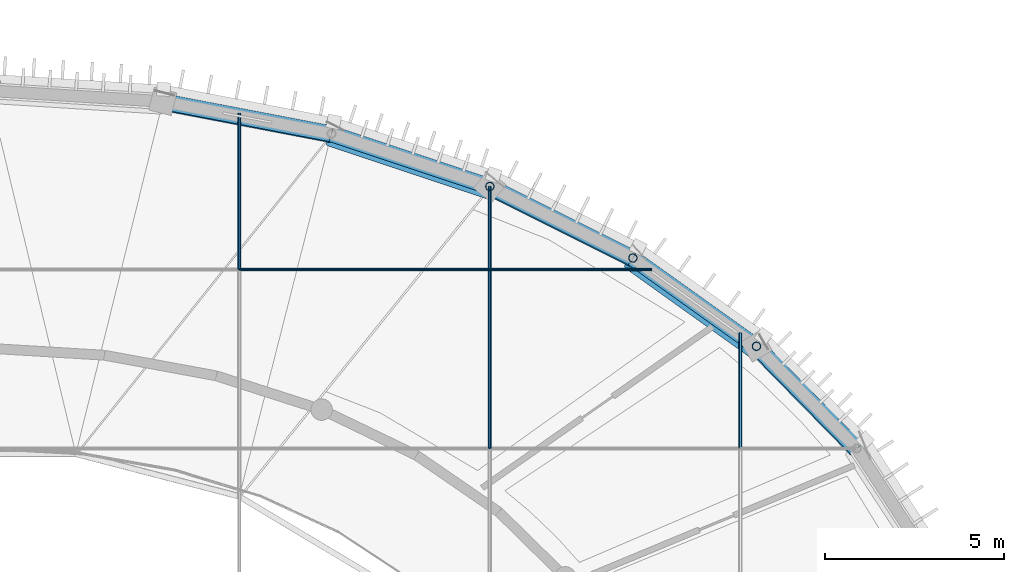
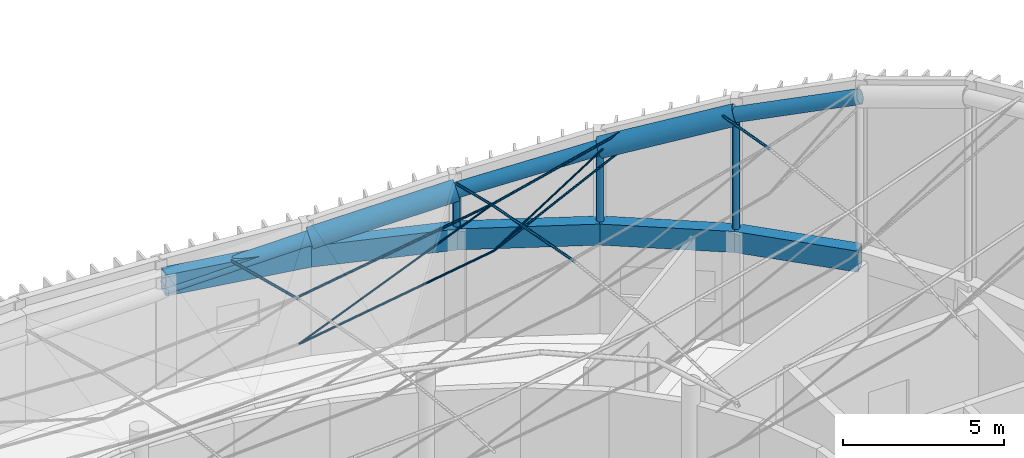
# One storey, part 10 of 36: 18 members, 5 beams.
"""IFC4 building model written with IfcOpenShell, lengths in metres."""

from ifc_helpers import new_model, si_unit, direction, frame, origin, origin_2d, place, context, subcontext, project, spatial, hollow_rectangle, circle, hollow_circle, extrude, material, material_profile, profile_set, type_object, element, save


model = new_model("IFC4")

# Units and contexts
model_context = context("Model", 3, precision=1e-05, world=origin(), true_north=direction((0.0, 1.0)))
body_context = subcontext(model_context, "Body", "Model", "MODEL_VIEW")
ifc_project = project(units=[si_unit("LENGTHUNIT", "METRE"), si_unit("AREAUNIT", "SQUARE_METRE"), si_unit("VOLUMEUNIT", "CUBIC_METRE"), si_unit("PLANEANGLEUNIT", "RADIAN"), si_unit("MASSUNIT", "GRAM", prefix="KILO")], contexts=[model_context])

# Site, building, storey
site_placement = place(None, origin())
site = spatial("IfcSite", under=ifc_project, at=site_placement, CompositionType="ELEMENT")
building_placement = place(site_placement, origin())
building = spatial("IfcBuilding", under=site, at=building_placement, Name="Tarnveldt Headland Concert Hall", CompositionType="ELEMENT")
storey_placement = place(building_placement, frame((0.0, 0.0, 22.800048828125)))
storey = spatial("IfcBuildingStorey", under=building, at=storey_placement, Name="L05", CompositionType="ELEMENT", Elevation=22.800048828125)

# Members
ifc_material = material(Name="Steel S355", Category="steel")
ifc_material_profile_1 = material_profile(ifc_material, circle(Radius=0.0458984375, at=origin_2d()), Name="LC D92", Category="steel")
ifc_profile_set_1 = profile_set([ifc_material_profile_1], Name="Steel S355")
member_type_1 = type_object("IfcMemberType", Name="CB-HOG92", PredefinedType="USERDEFINED", material=ifc_profile_set_1)
member_1_placement = place(storey_placement, frame((90.5, 69.5, 5.23486328125), z_axis=(0.0, 0.968355058126, -0.249576604276), x_axis=(-1.0, 0.0, 0.0)))
element("IfcMember", 1, at=member_1_placement, inside=storey, type_object=member_type_1, Name="ROOF TRUSS CABLE prestress chord 90", ObjectType="CABLE", PredefinedType="USERDEFINED", context=body_context, shape_type="SweptSolid", body=[
    extrude(circle(Radius=0.0458984375, at=origin_2d()), origin(), (0.0, 0.0, 1.0), 4.507568359375),
])
member_2_placement = place(storey_placement, frame((97.5, 64.5, 7.260009765625), z_axis=(0.0, 0.982872186934, -0.18428853505), x_axis=(-1.0, 0.0, 0.0)))
element("IfcMember", 2, at=member_2_placement, inside=storey, type_object=member_type_1, Name="ROOF TRUSS CABLE prestress chord 97", ObjectType="CABLE", PredefinedType="USERDEFINED", context=body_context, shape_type="SweptSolid", body=[
    extrude(circle(Radius=0.0458984375, at=origin_2d()), origin(), (0.0, 0.0, 1.0), 5.087158203125),
])
member_3_placement = place(storey_placement, frame((97.5, 69.5, 6.322509765625), z_axis=(0.0, 0.971855780858, -0.235576614318), x_axis=(-1.0, 0.0, 0.0)))
element("IfcMember", 3, at=member_3_placement, inside=storey, type_object=member_type_1, Name="ROOF TRUSS CABLE prestress chord 98", ObjectType="CABLE", PredefinedType="USERDEFINED", context=body_context, shape_type="SweptSolid", body=[
    extrude(circle(Radius=0.0458984375, at=origin_2d()), origin(), (0.0, 0.0, 1.0), 2.3876953125),
])
member_4_placement = place(storey_placement, frame((104.5, 64.5, 9.072509765625), z_axis=(0.0, 0.985161412941, -0.171630389067), x_axis=(-1.0, 0.0, 0.0)))
element("IfcMember", 4, at=member_4_placement, inside=storey, type_object=member_type_1, Name="ROOF TRUSS CABLE prestress chord 104", ObjectType="CABLE", PredefinedType="USERDEFINED", context=body_context, shape_type="SweptSolid", body=[
    extrude(circle(Radius=0.0458984375, at=origin_2d()), origin(), (0.0, 0.0, 1.0), 3.27734375),
])
ifc_material_profile_2 = material_profile(ifc_material, circle(Radius=0.031982421875, at=origin_2d()), Name="LC D64", Category="steel")
ifc_profile_set_2 = profile_set([ifc_material_profile_2], Name="Steel S355")
member_type_2 = type_object("IfcMemberType", Name="CB-STAY64", PredefinedType="USERDEFINED", material=ifc_profile_set_2)
member_5_placement = place(storey_placement, frame((90.5, 69.5, 3.534912109375), z_axis=(0.924440874248, 0.0, 0.381325412239), x_axis=(0.0, 1.0, 0.0)))
element("IfcMember", 5, at=member_5_placement, inside=storey, type_object=member_type_2, Name="ROOF TRUSS CABLE diagonal 51", ObjectType="CABLE", PredefinedType="USERDEFINED", context=body_context, shape_type="SweptSolid", body=[
    extrude(circle(Radius=0.031982421875, at=origin_2d()), origin(), (0.0, 0.0, 1.0), 7.572265625),
])
member_6_placement = place(storey_placement, frame((97.5, 69.5, 4.62255859375), z_axis=(0.84273813245, 0.0, 0.538323731703), x_axis=(0.0, 1.0, 0.0)))
element("IfcMember", 6, at=member_6_placement, inside=storey, type_object=member_type_2, Name="ROOF TRUSS CABLE diagonal 52", ObjectType="CABLE", PredefinedType="USERDEFINED", context=body_context, shape_type="SweptSolid", body=[
    extrude(circle(Radius=0.031982421875, at=origin_2d()), origin(), (0.0, 0.0, 1.0), 5.36376953125),
])
ifc_material_profile_3 = material_profile(ifc_material, circle(Radius=0.0419921875, at=origin_2d()), Name="LC D84", Category="steel")
ifc_profile_set_3 = profile_set([ifc_material_profile_3], Name="Steel S355")
member_type_3 = type_object("IfcMemberType", Name="CB-STAY84", PredefinedType="USERDEFINED", material=ifc_profile_set_3)
member_7_placement = place(storey_placement, frame((90.5, 69.5, 5.3349609375), z_axis=(0.988148319322, 0.0, 0.153502114058), x_axis=(0.0, 1.0, 0.0)))
element("IfcMember", 7, at=member_7_placement, inside=storey, type_object=member_type_3, Name="ROOF TRUSS CABLE sag chord 51", ObjectType="CABLE", PredefinedType="USERDEFINED", context=body_context, shape_type="SweptSolid", body=[
    extrude(circle(Radius=0.0419921875, at=origin_2d()), origin(), (0.0, 0.0, 1.0), 7.083984375),
])
member_8_placement = place(storey_placement, frame((97.5, 69.5, 6.42236328125), z_axis=(0.972251290422, 0.0, 0.233938941336), x_axis=(0.0, 1.0, 0.0)))
element("IfcMember", 8, at=member_8_placement, inside=storey, type_object=member_type_3, Name="ROOF TRUSS CABLE sag chord 52", ObjectType="CABLE", PredefinedType="USERDEFINED", context=body_context, shape_type="SweptSolid", body=[
    extrude(circle(Radius=0.0419921875, at=origin_2d()), origin(), (0.0, 0.0, 1.0), 4.649169921875),
])
ifc_material_profile_4 = material_profile(ifc_material, circle(Radius=0.0380859375, at=origin_2d()), Name="LC D76", Category="steel")
ifc_profile_set_4 = profile_set([ifc_material_profile_4], Name="Steel S355")
member_type_4 = type_object("IfcMemberType", Name="CB-TIE76", PredefinedType="USERDEFINED", material=ifc_profile_set_4)
member_9_placement = place(storey_placement, frame((90.5, 69.5, 3.534912109375), z_axis=(0.988143091198, 0.0, 0.1535357656), x_axis=(0.0, 1.0, 0.0)))
element("IfcMember", 9, at=member_9_placement, inside=storey, type_object=member_type_4, Name="ROOF TRUSS CABLE lower chord 51", ObjectType="CABLE", PredefinedType="USERDEFINED", context=body_context, shape_type="SweptSolid", body=[
    extrude(circle(Radius=0.0380859375, at=origin_2d()), origin(), (0.0, 0.0, 1.0), 7.083984375),
])
member_10_placement = place(storey_placement, frame((97.5, 69.5, 4.62255859375), z_axis=(0.900137729445, 0.0, 0.435605404041), x_axis=(0.0, 1.0, 0.0)))
element("IfcMember", 10, at=member_10_placement, inside=storey, type_object=member_type_4, Name="ROOF TRUSS CABLE lower chord 52", ObjectType="CABLE", PredefinedType="USERDEFINED", context=body_context, shape_type="SweptSolid", body=[
    extrude(circle(Radius=0.0380859375, at=origin_2d()), origin(), (0.0, 0.0, 1.0), 5.021728515625),
])

# Beams
ifc_material_profile_5 = material_profile(ifc_material, hollow_rectangle(XDim=0.449951171875, YDim=0.800048828125, WallThickness=0.028076171875, at=origin_2d()), Name="RHS 800x450x28", Category="steel")
ifc_profile_set_5 = profile_set([ifc_material_profile_5], Name="Steel S355")
beam_type = type_object("IfcBeamType", Name="RB-01", PredefinedType="BEAM", material=ifc_profile_set_5)
beam_1_placement = place(storey_placement, frame((107.748779296875, 64.5, 3.800048828125), z_axis=(-0.700051268358, 0.714092586203, 0.0), x_axis=(-0.714092586203, -0.700051268358, 0.0)))
element("IfcBeam", 11, at=beam_1_placement, inside=storey, type_object=beam_type, Name="Compression RING BEAM chord 4", PredefinedType="BEAM", context=body_context, shape_type="SweptSolid", body=[
    extrude(hollow_rectangle(XDim=0.449951171875, YDim=0.800048828125, WallThickness=0.028076171875, at=origin_2d()), origin(), (0.0, 0.0, 1.0), 3.9990234375),
])
beam_2_placement = place(storey_placement, frame((104.94921875, 67.355712890625, 3.800048828125), z_axis=(-0.813737360708, 0.581232748378, 0.0), x_axis=(-0.581232748378, -0.813737360708, 0.0)))
element("IfcBeam", 12, at=beam_2_placement, inside=storey, type_object=beam_type, Name="Compression RING BEAM chord 5", PredefinedType="BEAM", context=body_context, shape_type="SweptSolid", body=[
    extrude(hollow_rectangle(XDim=0.449951171875, YDim=0.800048828125, WallThickness=0.028076171875, at=origin_2d()), origin(), (0.0, 0.0, 1.0), 4.2412109375),
])
beam_3_placement = place(storey_placement, frame((101.498046875, 69.82080078125, 3.800048828125), z_axis=(-0.894361644392, 0.447344664705, 0.0), x_axis=(-0.447344664705, -0.894361644392, 0.0)))
element("IfcBeam", 13, at=beam_3_placement, inside=storey, type_object=beam_type, Name="Compression RING BEAM chord 6", PredefinedType="BEAM", context=body_context, shape_type="SweptSolid", body=[
    extrude(hollow_rectangle(XDim=0.449951171875, YDim=0.800048828125, WallThickness=0.028076171875, at=origin_2d()), origin(), (0.0, 0.0, 1.0), 4.47021484375),
])
beam_4_placement = place(storey_placement, frame((97.5, 71.820556640625, 3.800048828125), z_axis=(-0.948751350732, 0.316023534699, 0.0), x_axis=(-0.316023534699, -0.948751350732, 0.0)))
element("IfcBeam", 14, at=beam_4_placement, inside=storey, type_object=beam_type, Name="Compression RING BEAM chord 7", PredefinedType="BEAM", context=body_context, shape_type="SweptSolid", body=[
    extrude(hollow_rectangle(XDim=0.449951171875, YDim=0.800048828125, WallThickness=0.028076171875, at=origin_2d()), origin(), (0.0, 0.0, 1.0), 4.662353515625),
])
beam_5_placement = place(storey_placement, frame((93.07666015625, 73.2939453125, 3.800048828125), z_axis=(-0.982172578083, 0.187981453503, 0.0), x_axis=(-0.187981453503, -0.982172578083, 0.0)))
element("IfcBeam", 15, at=beam_5_placement, inside=storey, type_object=beam_type, Name="Compression RING BEAM chord 8", PredefinedType="BEAM", context=body_context, shape_type="SweptSolid", body=[
    extrude(hollow_rectangle(XDim=0.449951171875, YDim=0.800048828125, WallThickness=0.028076171875, at=origin_2d()), origin(), (0.0, 0.0, 1.0), 4.80029296875),
])

# Members
ifc_material_profile_6 = material_profile(ifc_material, hollow_circle(Radius=0.25390625, WallThickness=0.02490234375, at=origin_2d()), Name="CHS 508x25", Category="steel")
ifc_profile_set_6 = profile_set([ifc_material_profile_6], Name="Steel S355")
member_type_5 = type_object("IfcMemberType", Name="SR-CHS508", PredefinedType="CHORD", material=ifc_profile_set_6)
member_11_placement = place(storey_placement, frame((107.748779296875, 64.5, 9.919921875), z_axis=(-0.658859988915, 0.672075110346, -0.337962366338), x_axis=(-0.714092586203, -0.700051268358, 0.0)))
element("IfcMember", 16, at=member_11_placement, inside=storey, type_object=member_type_5, Name="Saddle boundary arch RING BEAM rib 4", PredefinedType="CHORD", context=body_context, shape_type="SweptSolid", body=[
    extrude(hollow_circle(Radius=0.25390625, WallThickness=0.02490234375, at=origin_2d()), origin(), (0.0, 0.0, 1.0), 4.2490234375),
])
member_12_placement = place(storey_placement, frame((101.498046875, 69.82080078125, 6.9560546875), z_axis=(-0.851504460205, 0.425908221393, -0.305846924458), x_axis=(-0.447344664705, -0.894361644392, 0.0)))
element("IfcMember", 17, at=member_12_placement, inside=storey, type_object=member_type_5, Name="Saddle boundary arch RING BEAM rib 6", PredefinedType="CHORD", context=body_context, shape_type="SweptSolid", body=[
    extrude(hollow_circle(Radius=0.25390625, WallThickness=0.02490234375, at=origin_2d()), origin(), (0.0, 0.0, 1.0), 4.6953125),
])
member_13_placement = place(storey_placement, frame((93.07666015625, 73.2939453125, 4.349365234375), z_axis=(-0.969958737495, 0.185643803727, -0.157214584867), x_axis=(-0.187981453503, -0.982172578083, 0.0)))
element("IfcMember", 18, at=member_13_placement, inside=storey, type_object=member_type_5, Name="Saddle boundary arch RING BEAM rib 8", PredefinedType="CHORD", context=body_context, shape_type="SweptSolid", body=[
    extrude(hollow_circle(Radius=0.25390625, WallThickness=0.02490234375, at=origin_2d()), origin(), (0.0, 0.0, 1.0), 4.860595703125),
])
ifc_material_profile_7 = material_profile(ifc_material, hollow_circle(Radius=0.35546875, WallThickness=0.028076171875, at=origin_2d()), Name="CHS 711x28", Category="steel")
ifc_profile_set_7 = profile_set([ifc_material_profile_7], Name="Steel S355")
member_type_6 = type_object("IfcMemberType", Name="SR-CHS711", PredefinedType="CHORD", material=ifc_profile_set_7)
member_14_placement = place(storey_placement, frame((104.94921875, 67.355712890625, 8.48388671875), z_axis=(-0.76557639291, 0.546832543804, -0.338920279204), x_axis=(-0.581232748378, -0.813737360708, 0.0)))
element("IfcMember", 19, at=member_14_placement, inside=storey, type_object=member_type_6, Name="Saddle boundary arch RING BEAM rib 5", PredefinedType="CHORD", context=body_context, shape_type="SweptSolid", body=[
    extrude(hollow_circle(Radius=0.35546875, WallThickness=0.028076171875, at=origin_2d()), origin(), (0.0, 0.0, 1.0), 4.508056640625),
])
member_15_placement = place(storey_placement, frame((97.5, 71.820556640625, 5.52001953125), z_axis=(-0.920187353059, 0.306509033873, -0.243531204212), x_axis=(-0.316023534699, -0.948751350732, 0.0)))
element("IfcMember", 20, at=member_15_placement, inside=storey, type_object=member_type_6, Name="Saddle boundary arch RING BEAM rib 7", PredefinedType="CHORD", context=body_context, shape_type="SweptSolid", body=[
    extrude(hollow_circle(Radius=0.35546875, WallThickness=0.028076171875, at=origin_2d()), origin(), (0.0, 0.0, 1.0), 4.806884765625),
])
ifc_material_profile_8 = material_profile(ifc_material, hollow_circle(Radius=0.122314453125, WallThickness=0.01611328125, at=origin_2d()), Name="CHS 244.5x16", Category="steel")
ifc_profile_set_8 = profile_set([ifc_material_profile_8], Name="Steel S355")
member_type_7 = type_object("IfcMemberType", Name="TR-CHORD244", PredefinedType="POST", material=ifc_profile_set_8)
member_16_placement = place(storey_placement, frame((104.94921875, 67.355712890625, 3.849853515625), z_axis=(0.0, 0.0, 1.0), x_axis=(1.0, 0.0, 0.0)))
element("IfcMember", 21, at=member_16_placement, inside=storey, type_object=member_type_7, Name="Saddle ring pedestal strut 5", PredefinedType="POST", context=body_context, shape_type="SweptSolid", body=[
    extrude(hollow_circle(Radius=0.122314453125, WallThickness=0.01611328125, at=origin_2d()), origin(), (0.0, 0.0, 1.0), 4.634033203125),
])
member_17_placement = place(storey_placement, frame((101.498046875, 69.82080078125, 3.849853515625), z_axis=(0.0, 0.0, 1.0), x_axis=(1.0, 0.0, 0.0)))
element("IfcMember", 22, at=member_17_placement, inside=storey, type_object=member_type_7, Name="Saddle ring pedestal strut 6", PredefinedType="POST", context=body_context, shape_type="SweptSolid", body=[
    extrude(hollow_circle(Radius=0.122314453125, WallThickness=0.01611328125, at=origin_2d()), origin(), (0.0, 0.0, 1.0), 3.106201171875),
])
member_18_placement = place(storey_placement, frame((97.5, 71.820556640625, 3.849853515625), z_axis=(0.0, 0.0, 1.0), x_axis=(1.0, 0.0, 0.0)))
element("IfcMember", 23, at=member_18_placement, inside=storey, type_object=member_type_7, Name="Saddle ring pedestal strut 7", PredefinedType="POST", context=body_context, shape_type="SweptSolid", body=[
    extrude(hollow_circle(Radius=0.122314453125, WallThickness=0.01611328125, at=origin_2d()), origin(), (0.0, 0.0, 1.0), 1.670166015625),
])

save(model, "model.ifc")
